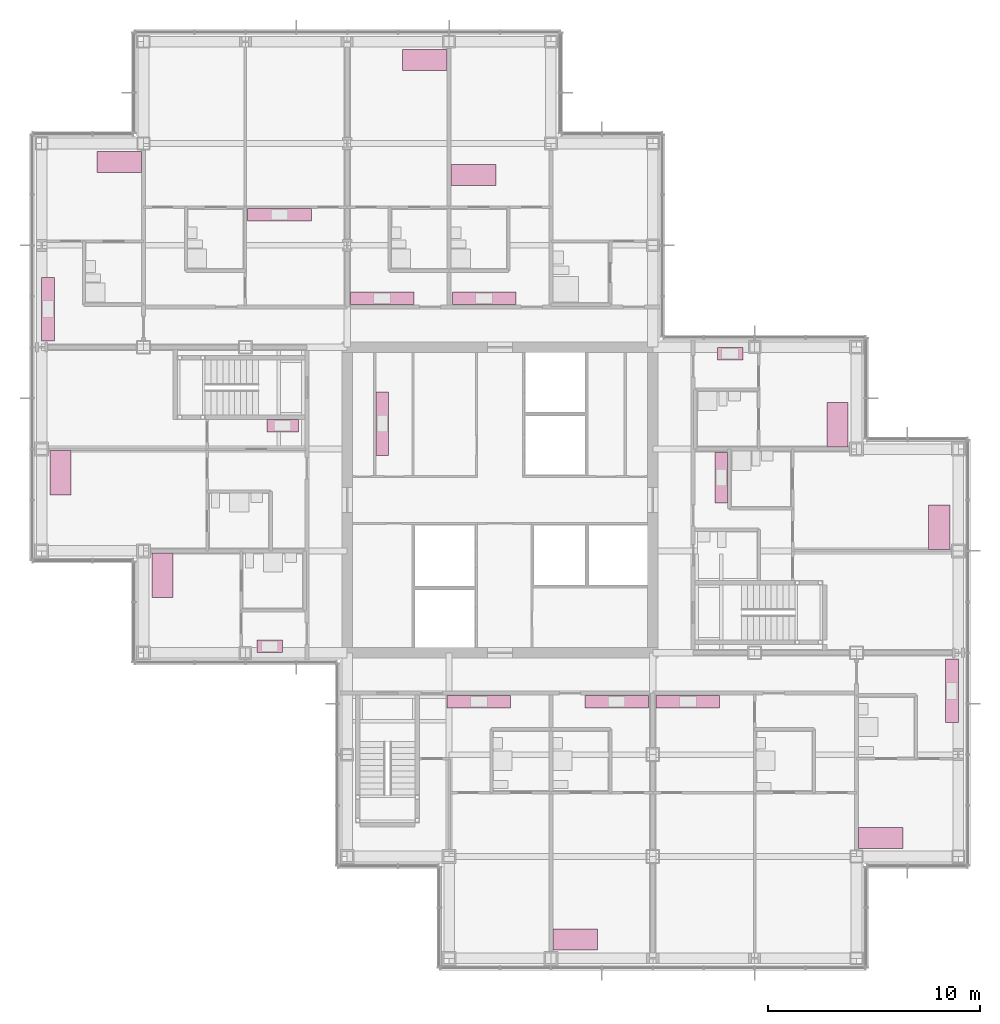
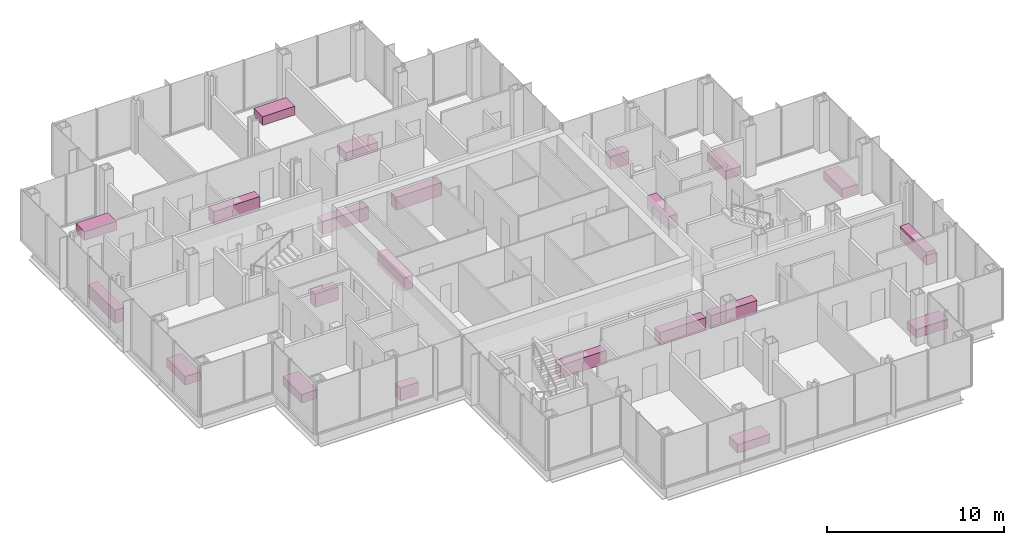
# One storey, part 20 of 20: 22 furniture elements.
"""IFC4 building model written with IfcOpenShell, lengths in metres."""

from ifc_helpers import new_model, si_unit, direction, frame, origin, origin_2d, place, context, subcontext, project, spatial, rectangle, extrude, material, type_object, element, save


model = new_model("IFC4")

# Units and contexts
model_context = context("Model", 3, precision=1e-05, world=origin(), true_north=direction((0.0, 1.0)))
body_context = subcontext(model_context, "Body", "Model", "MODEL_VIEW")
ifc_project = project(units=[si_unit("LENGTHUNIT", "METRE"), si_unit("AREAUNIT", "SQUARE_METRE"), si_unit("VOLUMEUNIT", "CUBIC_METRE"), si_unit("PLANEANGLEUNIT", "RADIAN"), si_unit("MASSUNIT", "GRAM", prefix="KILO")], contexts=[model_context])

# Site, building, storey
site_placement = place(None, origin())
site = spatial("IfcSite", under=ifc_project, at=site_placement, CompositionType="ELEMENT")
building_placement = place(site_placement, origin())
building = spatial("IfcBuilding", under=site, at=building_placement, Name="Kvirike Care Tower", CompositionType="ELEMENT")
storey_placement = place(building_placement, frame((0.0, 0.0, 94.5)))
storey = spatial("IfcBuildingStorey", under=building, at=storey_placement, Name="L25", CompositionType="ELEMENT", Elevation=94.5)

# Furniture
ifc_material_1 = material(Name="Steel frame", Category="steel")
furniture_type_1 = type_object("IfcFurnitureType", Name="CARE BED 1000 x 2100", AssemblyPlace="FACTORY", PredefinedType="BED", material=ifc_material_1)
for number, where, z_axis, x_axis, name in (
    (1, (0.89501953125, 37.2880859375, 0.0), (0.0, 0.0, 1.0), (1.0, 0.0, 0.0), "Care bed L25-004"),
    (2, (5.695068359375, 32.447998046875, 0.0), (0.0, 0.0, 1.0), (1.0, 0.0, 0.0), "Care bed L25-008"),
    (3, (3.64794921875, 51.929931640625, 0.0), (0.0, 0.0, 1.0), (0.0, -1.0, 0.0), "Care bed L25-017"),
    (4, (25.152099609375, 15.294921875, 0.0), (0.0, 0.0, 1.0), (0.0, 1.0, 0.0), "Care bed L25-026"),
    (5, (20.35205078125, 51.31005859375, 0.0), (0.0, 0.0, 1.0), (0.0, 1.0, 0.0), "Care bed L25-033"),
    (6, (18.048095703125, 56.72998046875, 0.0), (0.0, 0.0, 1.0), (0.0, -1.0, 0.0), "Care bed L25-036"),
    (7, (39.552001953125, 20.070068359375, 0.0), (0.0, 0.0, 1.0), (0.0, 1.0, 0.0), "Care bed L25-045"),
    (8, (42.304931640625, 34.7119140625, 0.0), (0.0, 0.0, 1.0), (-1.0, 0.0, 0.0), "Care bed L25-051"),
    (9, (37.5048828125, 39.552001953125, 0.0), (0.0, 0.0, 1.0), (-1.0, 0.0, 0.0), "Care bed L25-055"),
):
    element("IfcFurniture", number, at=place(storey_placement, frame(where, z_axis=z_axis, x_axis=x_axis)), inside=storey, type_object=furniture_type_1, Name=name, PredefinedType="BED", context=body_context, shape_type="SweptSolid", body=[
        extrude(rectangle(XDim=1.0, YDim=2.10009765625, at=origin_2d()), origin(), (0.0, 0.0, 1.0), 0.60009765625),
    ])
ifc_material_2 = material(Name="Laminated board", Category="wood")
furniture_type_2 = type_object("IfcFurnitureType", Name="KITCHEN UNIT RUN 600", AssemblyPlace="FACTORY", PredefinedType="USERDEFINED", material=ifc_material_2)
furniture_1_placement = place(storey_placement, frame((11.360107421875, 39.498046875, 0.0), z_axis=(0.0, 0.0, 1.0), x_axis=(1.0, 0.0, 0.0)))
element("IfcFurniture", 10, at=furniture_1_placement, inside=storey, type_object=furniture_type_2, Name="Kitchen unit run L25-006", ObjectType="KITCHEN UNIT", PredefinedType="USERDEFINED", context=body_context, shape_type="SweptSolid", body=[
    extrude(rectangle(XDim=1.5, YDim=0.60009765625, at=origin_2d()), origin(), (0.0, 0.0, 1.0), 0.89990234375),
])
furniture_2_placement = place(storey_placement, frame((10.75, 29.10205078125, 0.0), z_axis=(0.0, 0.0, 1.0), x_axis=(-1.0, 0.0, 0.0)))
element("IfcFurniture", 11, at=furniture_2_placement, inside=storey, type_object=furniture_type_2, Name="Kitchen unit run L25-010", ObjectType="KITCHEN UNIT", PredefinedType="USERDEFINED", context=body_context, shape_type="SweptSolid", body=[
    extrude(rectangle(XDim=1.199951171875, YDim=0.60009765625, at=origin_2d()), origin(), (0.0, 0.0, 1.0), 0.89990234375),
])
for number, where, z_axis, x_axis, name in (
    (12, (11.2099609375, 49.43798828125, 0.0), (0.0, 0.0, 1.0), (1.0, 0.0, 0.0), "Kitchen unit run L25-015"),
    (13, (0.302001953125, 44.9970703125, 0.0), (0.0, 0.0, 1.0), (0.0, 1.0, 0.0), "Kitchen unit run L25-019"),
    (14, (20.60009765625, 26.498046875, 0.0), (0.0, 0.0, 1.0), (1.0, 0.0, 0.0), "Kitchen unit run L25-025"),
    (15, (27.10009765625, 26.498046875, 0.0), (0.0, 0.0, 1.0), (1.0, 0.0, 0.0), "Kitchen unit run L25-028"),
    (16, (20.85009765625, 45.501953125, 0.0), (0.0, 0.0, 1.0), (-1.0, 0.0, 0.0), "Kitchen unit run L25-035"),
    (17, (16.050048828125, 45.501953125, 0.0), (0.0, 0.0, 1.0), (-1.0, 0.0, 0.0), "Kitchen unit run L25-038"),
    (18, (30.449951171875, 26.498046875, 0.0), (0.0, 0.0, 1.0), (1.0, 0.0, 0.0), "Kitchen unit run L25-043"),
    (19, (42.89794921875, 27.0029296875, 0.0), (0.0, 0.0, 1.0), (0.0, -1.0, 0.0), "Kitchen unit run L25-047"),
):
    element("IfcFurniture", number, at=place(storey_placement, frame(where, z_axis=z_axis, x_axis=x_axis)), inside=storey, type_object=furniture_type_2, Name=name, ObjectType="KITCHEN UNIT", PredefinedType="USERDEFINED", context=body_context, shape_type="SweptSolid", body=[
        extrude(rectangle(XDim=3.0, YDim=0.60009765625, at=origin_2d()), origin(), (0.0, 0.0, 1.0), 0.89990234375),
    ])
furniture_3_placement = place(storey_placement, frame((32.02294921875, 37.050048828125, 0.0), z_axis=(0.0, 0.0, 1.0), x_axis=(0.0, -1.0, 0.0)))
element("IfcFurniture", 20, at=furniture_3_placement, inside=storey, type_object=furniture_type_2, Name="Kitchen unit run L25-054", ObjectType="KITCHEN UNIT", PredefinedType="USERDEFINED", context=body_context, shape_type="SweptSolid", body=[
    extrude(rectangle(XDim=2.39990234375, YDim=0.60009765625, at=origin_2d()), origin(), (0.0, 0.0, 1.0), 0.89990234375),
])
furniture_4_placement = place(storey_placement, frame((32.449951171875, 42.89794921875, 0.0), z_axis=(0.0, 0.0, 1.0), x_axis=(1.0, 0.0, 0.0)))
element("IfcFurniture", 21, at=furniture_4_placement, inside=storey, type_object=furniture_type_2, Name="Kitchen unit run L25-057", ObjectType="KITCHEN UNIT", PredefinedType="USERDEFINED", context=body_context, shape_type="SweptSolid", body=[
    extrude(rectangle(XDim=1.199951171875, YDim=0.60009765625, at=origin_2d()), origin(), (0.0, 0.0, 1.0), 0.89990234375),
])
furniture_5_placement = place(storey_placement, frame((16.052001953125, 39.60009765625, 0.0), z_axis=(0.0, 0.0, 1.0), x_axis=(0.0, 1.0, 0.0)))
element("IfcFurniture", 22, at=furniture_5_placement, inside=storey, type_object=furniture_type_2, Name="Kitchen unit run L25-064", ObjectType="KITCHEN UNIT", PredefinedType="USERDEFINED", context=body_context, shape_type="SweptSolid", body=[
    extrude(rectangle(XDim=3.0, YDim=0.60009765625, at=origin_2d()), origin(), (0.0, 0.0, 1.0), 0.89990234375),
])

save(model, "model.ifc")
